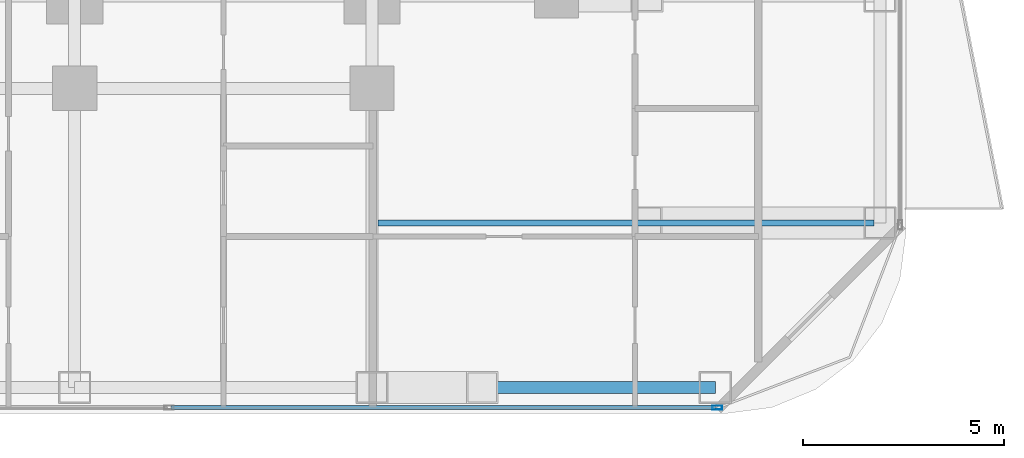
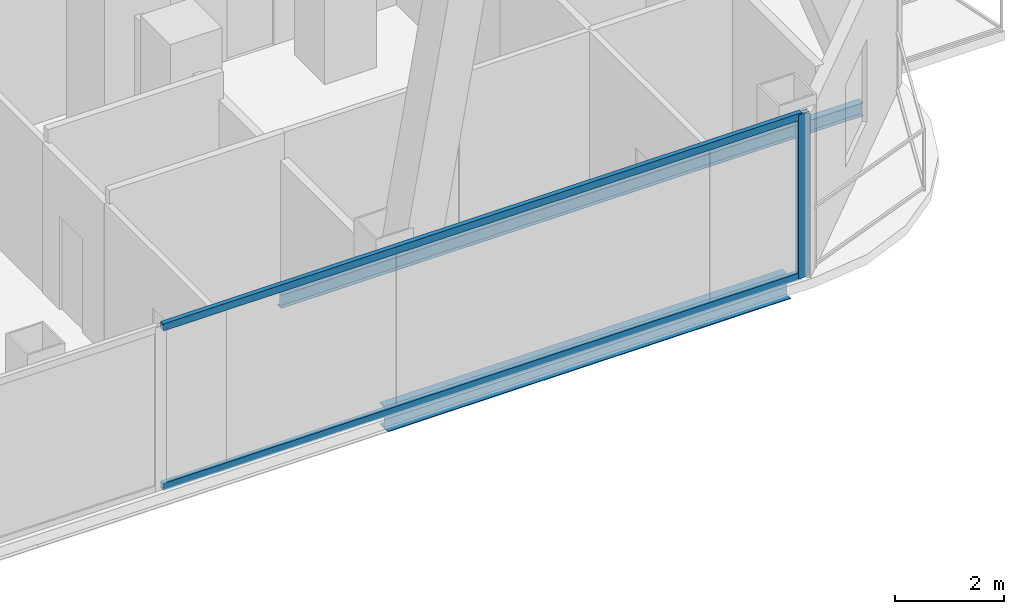
# One storey, part 10 of 33: 3 members, 2 beams, 1 element without a shape of its own.
"""IFC4 building model written with IfcOpenShell, lengths in metres."""

from ifc_helpers import new_model, si_unit, direction, frame, origin, origin_2d, place, context, subcontext, project, spatial, hollow_rectangle, i_section, extrude, material, layer, layer_set, material_profile, profile_set, type_object, element, aggregate, save


model = new_model("IFC4")

# Units and contexts
model_context = context("Model", 3, precision=1e-05, world=origin(), true_north=direction((0.0, 1.0)))
body_context = subcontext(model_context, "Body", "Model", "MODEL_VIEW")
ifc_project = project(units=[si_unit("LENGTHUNIT", "METRE"), si_unit("AREAUNIT", "SQUARE_METRE"), si_unit("VOLUMEUNIT", "CUBIC_METRE"), si_unit("PLANEANGLEUNIT", "RADIAN"), si_unit("MASSUNIT", "GRAM", prefix="KILO")], contexts=[model_context])

# Site, building, storey
site_placement = place(None, origin())
site = spatial("IfcSite", under=ifc_project, at=site_placement, CompositionType="ELEMENT")
building_placement = place(site_placement, origin())
building = spatial("IfcBuilding", under=site, at=building_placement, Name="Khorvyn Point Tower", CompositionType="ELEMENT")
storey_placement = place(building_placement, frame((0.0, 0.0, 38.39990234375)))
storey = spatial("IfcBuildingStorey", under=building, at=storey_placement, Name="L10", CompositionType="ELEMENT", Elevation=38.39990234375)

# Curtain wall, members
ifc_material_1 = material(Name="Anodised aluminium 6063-T6 and laminated Low-E glass", Category="aluminium")
ifc_layer = layer(ifc_material_1, 0.18994140625)
ifc_layer_set = layer_set([ifc_layer], Name="Stick-Built Finned Residential Curtain Wall CW-SYS-02")
curtain_wall_type = type_object("IfcCurtainWallType", Name="Stick-Built Finned Residential Curtain Wall CW-SYS-02", PredefinedType="NOTDEFINED", material=ifc_layer_set)
curtain_wall_placement = place(storey_placement, origin())
curtain_wall = element("IfcCurtainWall", 1, at=curtain_wall_placement, inside=storey, type_object=curtain_wall_type, Name="Curtain Wall", PredefinedType="NOTDEFINED")
ifc_material_2 = material(Name="Anodised aluminium 6063-T6", Category="aluminium")
ifc_material_profile_1 = material_profile(ifc_material_2, hollow_rectangle(XDim=0.10009765625, YDim=0.239990234375, WallThickness=0.0048828125, at=origin_2d()))
ifc_profile_set_1 = profile_set([ifc_material_profile_1], Name="Anodised aluminium 6063-T6 ALU-MUL-100x240")
member_type_1 = type_object("IfcMemberType", Name="Anodised Aluminium 6063-T6 Mullion ALU-MUL-100x240", PredefinedType="MULLION", material=ifc_profile_set_1)
member_1_placement = place(storey_placement, frame((23.39990234375, -25.050048828125, 0.0), z_axis=(0.0, 0.0, 1.0), x_axis=(0.0, -1.0, 0.0)))
member_1 = element("IfcMember", 2, at=member_1_placement, type_object=member_type_1, Name="Transom", PredefinedType="MULLION", context=body_context, shape_type="SweptSolid", body=[
    extrude(hollow_rectangle(XDim=0.10009765625, YDim=0.239990234375, WallThickness=0.0048828125, at=origin_2d()), origin(), (0.0, 0.0, 1.0), 3.68017578125),
])
ifc_material_profile_2 = material_profile(ifc_material_2, hollow_rectangle(XDim=0.10009765625, YDim=0.159912109375, WallThickness=0.00439453125, at=origin_2d()))
ifc_profile_set_2 = profile_set([ifc_material_profile_2], Name="Anodised aluminium 6063-T6 ALU-TRN-100x160")
member_type_2 = type_object("IfcMemberType", Name="Anodised Aluminium 6063-T6 Transom ALU-TRN-100x160", PredefinedType="USERDEFINED", material=ifc_profile_set_2)
member_2_placement = place(storey_placement, frame((23.35009765625, -25.050048828125, 0.050048828125), z_axis=(-1.0, 0.0, 0.0), x_axis=(0.0, -1.0, 0.0)))
member_2 = element("IfcMember", 3, at=member_2_placement, type_object=member_type_2, Name="Transom", ObjectType="TRANSOM", PredefinedType="USERDEFINED", context=body_context, shape_type="SweptSolid", body=[
    extrude(hollow_rectangle(XDim=0.10009765625, YDim=0.159912109375, WallThickness=0.00439453125, at=origin_2d()), origin(), (0.0, 0.0, 1.0), 13.550048828125),
])
member_3_placement = place(storey_placement, frame((23.35009765625, -25.050048828125, 3.630126953125), z_axis=(-1.0, 0.0, 0.0), x_axis=(0.0, -1.0, 0.0)))
member_3 = element("IfcMember", 4, at=member_3_placement, type_object=member_type_2, Name="Transom", ObjectType="TRANSOM", PredefinedType="USERDEFINED", context=body_context, shape_type="SweptSolid", body=[
    extrude(hollow_rectangle(XDim=0.10009765625, YDim=0.159912109375, WallThickness=0.00439453125, at=origin_2d()), origin(), (0.0, 0.0, 1.0), 13.550048828125),
])
aggregate(curtain_wall, [member_1, member_2, member_3])

# Beams
ifc_material_3 = material(Name="Steel S355", Category="steel")
ifc_material_profile_3 = material_profile(ifc_material_3, i_section(OverallWidth=0.14990234375, OverallDepth=0.300048828125, WebThickness=0.006591796875, FlangeThickness=0.009033203125, at=origin_2d()))
ifc_profile_set_3 = profile_set([ifc_material_profile_3], Name="Steel S355 H300x150x6.5x9")
beam_type_1 = type_object("IfcBeamType", Name="Steel S355 Joist H300x150x6.5x9", PredefinedType="JOIST", material=ifc_profile_set_3)
beam_1_placement = place(storey_placement, frame((14.949951171875, -20.449951171875, -0.369873046875), z_axis=(1.0, 0.0, 0.0), x_axis=(0.0, 1.0, 0.0)))
element("IfcBeam", 5, at=beam_1_placement, inside=storey, type_object=beam_type_1, Name="Beam", PredefinedType="JOIST", context=body_context, shape_type="SweptSolid", body=[
    extrude(i_section(OverallWidth=0.14990234375, OverallDepth=0.300048828125, WebThickness=0.006591796875, FlangeThickness=0.009033203125, at=origin_2d()), origin(), (0.0, 0.0, 1.0), 12.35009765625),
])
ifc_material_profile_4 = material_profile(ifc_material_3, i_section(OverallWidth=0.300048828125, OverallDepth=0.488037109375, WebThickness=0.010986328125, FlangeThickness=0.01806640625, at=origin_2d()))
ifc_profile_set_4 = profile_set([ifc_material_profile_4], Name="Steel S355 H488x300x11x18")
beam_type_2 = type_object("IfcBeamType", Name="Steel S355 Spandrel H488x300x11x18", PredefinedType="SPANDREL", material=ifc_profile_set_4)
beam_2_placement = place(storey_placement, frame((14.800048828125, -24.550048828125, -0.4638671875), z_axis=(1.0, 0.0, 0.0), x_axis=(0.0, 1.0, 0.0)))
element("IfcBeam", 6, at=beam_2_placement, inside=storey, type_object=beam_type_2, Name="Beam", PredefinedType="SPANDREL", context=body_context, shape_type="SweptSolid", body=[
    extrude(i_section(OverallWidth=0.300048828125, OverallDepth=0.488037109375, WebThickness=0.010986328125, FlangeThickness=0.01806640625, at=origin_2d()), origin(), (0.0, 0.0, 1.0), 8.550048828125),
])

save(model, "model.ifc")
